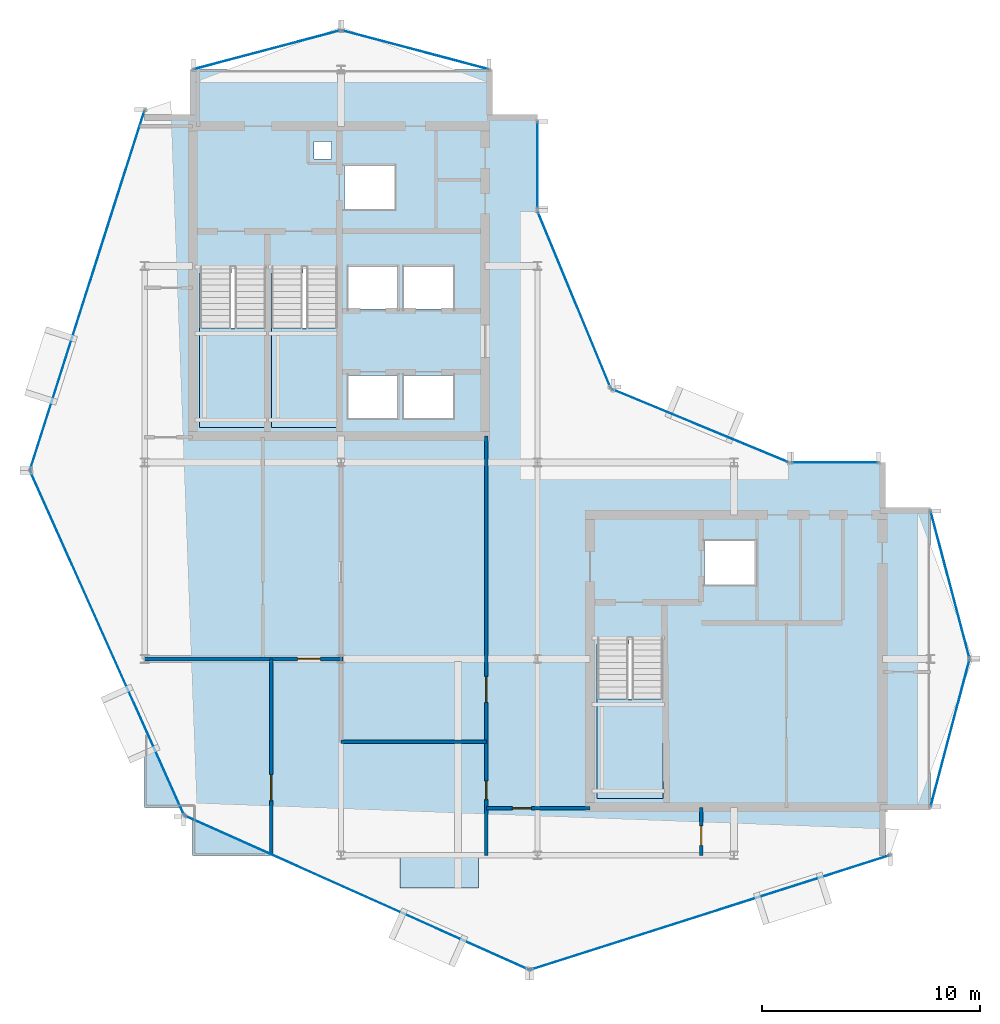
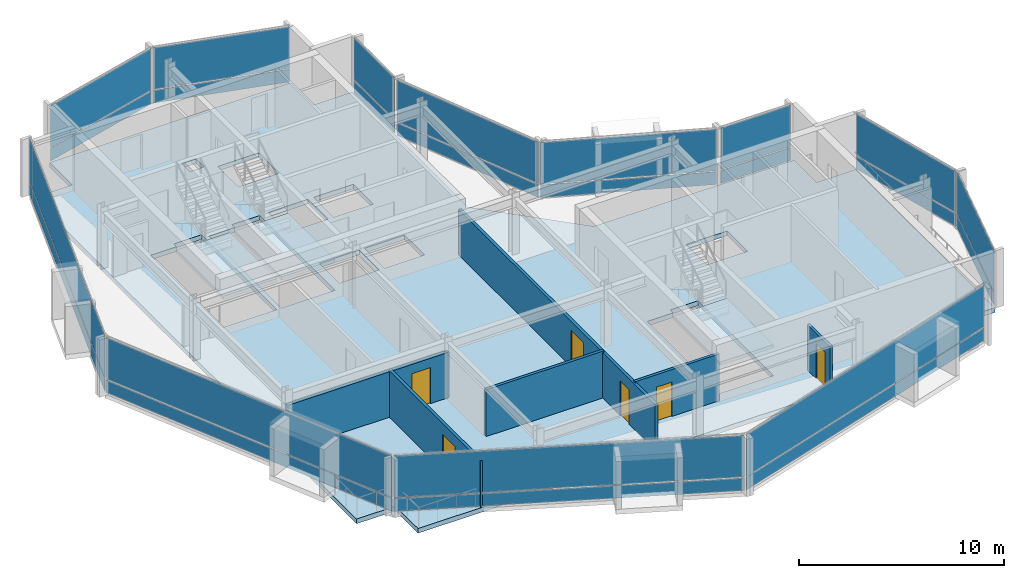
# One storey, part 13 of 19: 24 plates, 6 doors, 6 walls, 5 slabs, 6 openings, 15 elements without a shape of their own.
"""IFC4 building model written with IfcOpenShell, lengths in metres."""

from ifc_helpers import new_model, si_unit, direction, frame, frame_2d, origin, origin_2d, place, context, subcontext, project, spatial, polyline, rectangle, outline, extrude, material, layer, layer_set, type_object, element, fill, aggregate, save


model = new_model("IFC4")

# Units and contexts
model_context = context("Model", 3, precision=1e-05, world=origin(), true_north=direction((0.0, 1.0)))
body_context = subcontext(model_context, "Body", "Model", "MODEL_VIEW")
ifc_project = project(units=[si_unit("LENGTHUNIT", "METRE"), si_unit("AREAUNIT", "SQUARE_METRE"), si_unit("VOLUMEUNIT", "CUBIC_METRE"), si_unit("PLANEANGLEUNIT", "RADIAN"), si_unit("MASSUNIT", "GRAM", prefix="KILO")], contexts=[model_context])

# Site, building, storey
site_placement = place(None, origin())
site = spatial("IfcSite", under=ifc_project, at=site_placement, CompositionType="ELEMENT")
building_placement = place(site_placement, origin())
building = spatial("IfcBuilding", under=site, at=building_placement, Name="Solvaryn Broadcast Tower", CompositionType="ELEMENT")
storey_placement = place(building_placement, frame((0.0, 0.0, 251.89990234375)))
storey = spatial("IfcBuildingStorey", under=building, at=storey_placement, Name="L63", CompositionType="ELEMENT", Elevation=251.89990234375)

# Curtain wall, plates
ifc_material_1 = material(Name="Aluminium and Terracotta Unitised Curtain Wall", Category="masonry")
ifc_layer_1 = layer(ifc_material_1, 0.199951171875)
ifc_layer_set_1 = layer_set([ifc_layer_1], Name="CW-SYS2-LOWMID")
curtain_wall_type = type_object("IfcCurtainWallType", Name="CW-SYS2-LOWMID", PredefinedType="NOTDEFINED", material=ifc_layer_set_1)
curtain_wall_1_placement = place(storey_placement, origin())
curtain_wall_1 = element("IfcCurtainWall", 1, at=curtain_wall_1_placement, inside=storey, type_object=curtain_wall_type, Name="L63 Curtain Wall DR1", PredefinedType="NOTDEFINED")
ifc_material_2 = material(Name="Low-Iron Insulated Vision Glass", Category="glass")
ifc_layer_2 = layer(ifc_material_2, 0.035888671875)
ifc_layer_set_2 = layer_set([ifc_layer_2], Name="CW-PNL-VISION")
plate_type = type_object("IfcPlateType", Name="CW-PNL-VISION", PredefinedType="CURTAIN_PANEL", material=ifc_layer_set_2)
plate_1_placement = place(storey_placement, frame((6.368896484375, 34.892578125, 0.06005859375), z_axis=(0.0, 0.0, 1.0), x_axis=(-0.30361564569, -0.952794594701, 0.0)))
plate_1 = element("IfcPlate", 2, at=plate_1_placement, type_object=plate_type, Name="CWS2 panel 1.1", PredefinedType="CURTAIN_PANEL", context=body_context, shape_type="SweptSolid", body=[
    extrude(rectangle(XDim=17.211181640625, YDim=0.028076171875, at=origin_2d()), origin(), (0.0, 0.0, 1.0), 0.760009765625),
])
plate_2_placement = place(storey_placement, frame((6.368896484375, 34.892578125, 0.880126953125), z_axis=(0.0, 0.0, 1.0), x_axis=(-0.30361564569, -0.952794594701, 0.0)))
plate_2 = element("IfcPlate", 3, at=plate_2_placement, type_object=plate_type, Name="CWS2 panel 1.2", PredefinedType="CURTAIN_PANEL", context=body_context, shape_type="SweptSolid", body=[
    extrude(rectangle(XDim=17.211181640625, YDim=0.028076171875, at=origin_2d()), origin(), (0.0, 0.0, 1.0), 2.47998046875),
])
aggregate(curtain_wall_1, [plate_1, plate_2])

curtain_wall_2_placement = place(storey_placement, origin())
curtain_wall_2 = element("IfcCurtainWall", 4, at=curtain_wall_2_placement, inside=storey, type_object=curtain_wall_type, Name="L63 Curtain Wall DR2", PredefinedType="NOTDEFINED")
plate_3_placement = place(storey_placement, frame((7.277587890625, 18.7265625, 0.06005859375), z_axis=(0.0, 0.0, 1.0), x_axis=(0.408466010682, -0.912773530574, 0.0)))
plate_3 = element("IfcPlate", 5, at=plate_3_placement, type_object=plate_type, Name="CWS2 panel 1.1", PredefinedType="CURTAIN_PANEL", context=body_context, shape_type="SweptSolid", body=[
    extrude(rectangle(XDim=17.210693359375, YDim=0.028076171875, at=origin_2d()), origin(), (0.0, 0.0, 1.0), 0.760009765625),
])
plate_4_placement = place(storey_placement, frame((7.277587890625, 18.7265625, 0.880126953125), z_axis=(0.0, 0.0, 1.0), x_axis=(0.408466010682, -0.912773530574, 0.0)))
plate_4 = element("IfcPlate", 6, at=plate_4_placement, type_object=plate_type, Name="CWS2 panel 1.2", PredefinedType="CURTAIN_PANEL", context=body_context, shape_type="SweptSolid", body=[
    extrude(rectangle(XDim=17.210693359375, YDim=0.028076171875, at=origin_2d()), origin(), (0.0, 0.0, 1.0), 2.47998046875),
])
aggregate(curtain_wall_2, [plate_3, plate_4])

curtain_wall_3_placement = place(storey_placement, origin())
curtain_wall_3 = element("IfcCurtainWall", 7, at=curtain_wall_3_placement, inside=storey, type_object=curtain_wall_type, Name="L63 Curtain Wall DR3", PredefinedType="NOTDEFINED")
plate_5_placement = place(storey_placement, frame((18.7265625, 7.277587890625, 0.06005859375), z_axis=(0.0, 0.0, 1.0), x_axis=(0.912773530574, -0.408466010682, 0.0)))
plate_5 = element("IfcPlate", 8, at=plate_5_placement, type_object=plate_type, Name="CWS2 panel 1.1", PredefinedType="CURTAIN_PANEL", context=body_context, shape_type="SweptSolid", body=[
    extrude(rectangle(XDim=17.210693359375, YDim=0.028076171875, at=origin_2d()), origin(), (0.0, 0.0, 1.0), 0.760009765625),
])
plate_6_placement = place(storey_placement, frame((18.7265625, 7.277587890625, 0.880126953125), z_axis=(0.0, 0.0, 1.0), x_axis=(0.912773530574, -0.408466010682, 0.0)))
plate_6 = element("IfcPlate", 9, at=plate_6_placement, type_object=plate_type, Name="CWS2 panel 1.2", PredefinedType="CURTAIN_PANEL", context=body_context, shape_type="SweptSolid", body=[
    extrude(rectangle(XDim=17.210693359375, YDim=0.028076171875, at=origin_2d()), origin(), (0.0, 0.0, 1.0), 2.47998046875),
])
aggregate(curtain_wall_3, [plate_5, plate_6])

curtain_wall_4_placement = place(storey_placement, origin())
curtain_wall_4 = element("IfcCurtainWall", 10, at=curtain_wall_4_placement, inside=storey, type_object=curtain_wall_type, Name="L63 Curtain Wall DR4", PredefinedType="NOTDEFINED")
plate_7_placement = place(storey_placement, frame((34.892578125, 6.368896484375, 0.06005859375), z_axis=(0.0, 0.0, 1.0), x_axis=(0.952794594701, 0.30361564569, 0.0)))
plate_7 = element("IfcPlate", 11, at=plate_7_placement, type_object=plate_type, Name="CWS2 panel 1.1", PredefinedType="CURTAIN_PANEL", context=body_context, shape_type="SweptSolid", body=[
    extrude(rectangle(XDim=17.211181640625, YDim=0.028076171875, at=origin_2d()), origin(), (0.0, 0.0, 1.0), 0.760009765625),
])
plate_8_placement = place(storey_placement, frame((34.892578125, 6.368896484375, 0.880126953125), z_axis=(0.0, 0.0, 1.0), x_axis=(0.952794594701, 0.30361564569, 0.0)))
plate_8 = element("IfcPlate", 12, at=plate_8_placement, type_object=plate_type, Name="CWS2 panel 1.2", PredefinedType="CURTAIN_PANEL", context=body_context, shape_type="SweptSolid", body=[
    extrude(rectangle(XDim=17.211181640625, YDim=0.028076171875, at=origin_2d()), origin(), (0.0, 0.0, 1.0), 2.47998046875),
])
aggregate(curtain_wall_4, [plate_7, plate_8])

curtain_wall_5_placement = place(storey_placement, origin())
curtain_wall_5 = element("IfcCurtainWall", 13, at=curtain_wall_5_placement, inside=storey, type_object=curtain_wall_type, Name="L63 Curtain Wall IV", PredefinedType="NOTDEFINED")
plate_9_placement = place(storey_placement, frame((27.0, 40.625, 0.06005859375), z_axis=(0.0, 0.0, 1.0), x_axis=(0.0, -1.0, 0.0)))
plate_9 = element("IfcPlate", 14, at=plate_9_placement, type_object=plate_type, Name="CWS2 panel 1.1", PredefinedType="CURTAIN_PANEL", context=body_context, shape_type="SweptSolid", body=[
    extrude(rectangle(XDim=3.929931640625, YDim=0.028076171875, at=origin_2d()), origin(), (0.0, 0.0, 1.0), 0.760009765625),
])
plate_10_placement = place(storey_placement, frame((27.0, 40.625, 0.880126953125), z_axis=(0.0, 0.0, 1.0), x_axis=(0.0, -1.0, 0.0)))
plate_10 = element("IfcPlate", 15, at=plate_10_placement, type_object=plate_type, Name="CWS2 panel 1.2", PredefinedType="CURTAIN_PANEL", context=body_context, shape_type="SweptSolid", body=[
    extrude(rectangle(XDim=3.929931640625, YDim=0.028076171875, at=origin_2d()), origin(), (0.0, 0.0, 1.0), 2.47998046875),
])
aggregate(curtain_wall_5, [plate_9, plate_10])

curtain_wall_6_placement = place(storey_placement, origin())
curtain_wall_6 = element("IfcCurtainWall", 16, at=curtain_wall_6_placement, inside=storey, type_object=curtain_wall_type, Name="L63 Curtain Wall CN1", PredefinedType="NOTDEFINED")
plate_11_placement = place(storey_placement, frame((34.43408203125, 28.68408203125, 0.06005859375), z_axis=(0.0, 0.0, 1.0), x_axis=(-0.923894983957, 0.382646127145, 0.0)))
plate_11 = element("IfcPlate", 17, at=plate_11_placement, type_object=plate_type, Name="CWS2 panel 1.1", PredefinedType="CURTAIN_PANEL", context=body_context, shape_type="SweptSolid", body=[
    extrude(rectangle(XDim=8.681884765625, YDim=0.028076171875, at=origin_2d()), origin(), (0.0, 0.0, 1.0), 0.760009765625),
])
plate_12_placement = place(storey_placement, frame((34.43408203125, 28.68408203125, 0.880126953125), z_axis=(0.0, 0.0, 1.0), x_axis=(-0.923894983957, 0.382646127145, 0.0)))
plate_12 = element("IfcPlate", 18, at=plate_12_placement, type_object=plate_type, Name="CWS2 panel 1.2", PredefinedType="CURTAIN_PANEL", context=body_context, shape_type="SweptSolid", body=[
    extrude(rectangle(XDim=8.681884765625, YDim=0.028076171875, at=origin_2d()), origin(), (0.0, 0.0, 1.0), 2.47998046875),
])
aggregate(curtain_wall_6, [plate_11, plate_12])

curtain_wall_7_placement = place(storey_placement, origin())
curtain_wall_7 = element("IfcCurtainWall", 19, at=curtain_wall_7_placement, inside=storey, type_object=curtain_wall_type, Name="L63 Curtain Wall CN2", PredefinedType="NOTDEFINED")
plate_13_placement = place(storey_placement, frame((28.68408203125, 34.43408203125, 0.06005859375), z_axis=(0.0, 0.0, 1.0), x_axis=(-0.382646127145, 0.923894983957, 0.0)))
plate_13 = element("IfcPlate", 20, at=plate_13_placement, type_object=plate_type, Name="CWS2 panel 1.1", PredefinedType="CURTAIN_PANEL", context=body_context, shape_type="SweptSolid", body=[
    extrude(rectangle(XDim=8.681884765625, YDim=0.028076171875, at=origin_2d()), origin(), (0.0, 0.0, 1.0), 0.760009765625),
])
plate_14_placement = place(storey_placement, frame((28.68408203125, 34.43408203125, 0.880126953125), z_axis=(0.0, 0.0, 1.0), x_axis=(-0.382646127145, 0.923894983957, 0.0)))
plate_14 = element("IfcPlate", 21, at=plate_14_placement, type_object=plate_type, Name="CWS2 panel 1.2", PredefinedType="CURTAIN_PANEL", context=body_context, shape_type="SweptSolid", body=[
    extrude(rectangle(XDim=8.681884765625, YDim=0.028076171875, at=origin_2d()), origin(), (0.0, 0.0, 1.0), 2.47998046875),
])
aggregate(curtain_wall_7, [plate_13, plate_14])

curtain_wall_8_placement = place(storey_placement, origin())
curtain_wall_8 = element("IfcCurtainWall", 22, at=curtain_wall_8_placement, inside=storey, type_object=curtain_wall_type, Name="L63 Curtain Wall NT1", PredefinedType="NOTDEFINED")
plate_15_placement = place(storey_placement, frame((21.39990234375, 45.89990234375, 0.06005859375), z_axis=(0.0, 0.0, 1.0), x_axis=(-0.966705227863, 0.25589256031, 0.0)))
plate_15 = element("IfcPlate", 23, at=plate_15_placement, type_object=plate_type, Name="CWS2 panel 1.1", PredefinedType="CURTAIN_PANEL", context=body_context, shape_type="SweptSolid", body=[
    extrude(rectangle(XDim=6.914306640625, YDim=0.028076171875, at=origin_2d()), origin(), (0.0, 0.0, 1.0), 0.760009765625),
])
plate_16_placement = place(storey_placement, frame((21.39990234375, 45.89990234375, 0.880126953125), z_axis=(0.0, 0.0, 1.0), x_axis=(-0.966705227863, 0.25589256031, 0.0)))
plate_16 = element("IfcPlate", 24, at=plate_16_placement, type_object=plate_type, Name="CWS2 panel 1.2", PredefinedType="CURTAIN_PANEL", context=body_context, shape_type="SweptSolid", body=[
    extrude(rectangle(XDim=6.914306640625, YDim=0.028076171875, at=origin_2d()), origin(), (0.0, 0.0, 1.0), 2.47998046875),
])
aggregate(curtain_wall_8, [plate_15, plate_16])

curtain_wall_9_placement = place(storey_placement, origin())
curtain_wall_9 = element("IfcCurtainWall", 25, at=curtain_wall_9_placement, inside=storey, type_object=curtain_wall_type, Name="L63 Curtain Wall NT2", PredefinedType="NOTDEFINED")
plate_17_placement = place(storey_placement, frame((14.60009765625, 45.89990234375, 0.06005859375), z_axis=(0.0, 0.0, 1.0), x_axis=(-0.966705227863, -0.25589256031, 0.0)))
plate_17 = element("IfcPlate", 26, at=plate_17_placement, type_object=plate_type, Name="CWS2 panel 1.1", PredefinedType="CURTAIN_PANEL", context=body_context, shape_type="SweptSolid", body=[
    extrude(rectangle(XDim=6.914306640625, YDim=0.028076171875, at=origin_2d()), origin(), (0.0, 0.0, 1.0), 0.760009765625),
])
plate_18_placement = place(storey_placement, frame((14.60009765625, 45.89990234375, 0.880126953125), z_axis=(0.0, 0.0, 1.0), x_axis=(-0.966705227863, -0.25589256031, 0.0)))
plate_18 = element("IfcPlate", 27, at=plate_18_placement, type_object=plate_type, Name="CWS2 panel 1.2", PredefinedType="CURTAIN_PANEL", context=body_context, shape_type="SweptSolid", body=[
    extrude(rectangle(XDim=6.914306640625, YDim=0.028076171875, at=origin_2d()), origin(), (0.0, 0.0, 1.0), 2.47998046875),
])
aggregate(curtain_wall_9, [plate_17, plate_18])

curtain_wall_10_placement = place(storey_placement, origin())
curtain_wall_10 = element("IfcCurtainWall", 28, at=curtain_wall_10_placement, inside=storey, type_object=curtain_wall_type, Name="L63 Curtain Wall ET1", PredefinedType="NOTDEFINED")
plate_19_placement = place(storey_placement, frame((45.89990234375, 21.39990234375, 0.06005859375), z_axis=(0.0, 0.0, 1.0), x_axis=(0.25589256031, -0.966705227863, 0.0)))
plate_19 = element("IfcPlate", 29, at=plate_19_placement, type_object=plate_type, Name="CWS2 panel 1.1", PredefinedType="CURTAIN_PANEL", context=body_context, shape_type="SweptSolid", body=[
    extrude(rectangle(XDim=6.914306640625, YDim=0.028076171875, at=origin_2d()), origin(), (0.0, 0.0, 1.0), 0.760009765625),
])
plate_20_placement = place(storey_placement, frame((45.89990234375, 21.39990234375, 0.880126953125), z_axis=(0.0, 0.0, 1.0), x_axis=(0.25589256031, -0.966705227863, 0.0)))
plate_20 = element("IfcPlate", 30, at=plate_20_placement, type_object=plate_type, Name="CWS2 panel 1.2", PredefinedType="CURTAIN_PANEL", context=body_context, shape_type="SweptSolid", body=[
    extrude(rectangle(XDim=6.914306640625, YDim=0.028076171875, at=origin_2d()), origin(), (0.0, 0.0, 1.0), 2.47998046875),
])
aggregate(curtain_wall_10, [plate_19, plate_20])

curtain_wall_11_placement = place(storey_placement, origin())
curtain_wall_11 = element("IfcCurtainWall", 31, at=curtain_wall_11_placement, inside=storey, type_object=curtain_wall_type, Name="L63 Curtain Wall ET2", PredefinedType="NOTDEFINED")
plate_21_placement = place(storey_placement, frame((45.89990234375, 14.60009765625, 0.06005859375), z_axis=(0.0, 0.0, 1.0), x_axis=(-0.25589256031, -0.966705227863, 0.0)))
plate_21 = element("IfcPlate", 32, at=plate_21_placement, type_object=plate_type, Name="CWS2 panel 1.1", PredefinedType="CURTAIN_PANEL", context=body_context, shape_type="SweptSolid", body=[
    extrude(rectangle(XDim=6.914306640625, YDim=0.028076171875, at=origin_2d()), origin(), (0.0, 0.0, 1.0), 0.760009765625),
])
plate_22_placement = place(storey_placement, frame((45.89990234375, 14.60009765625, 0.880126953125), z_axis=(0.0, 0.0, 1.0), x_axis=(-0.25589256031, -0.966705227863, 0.0)))
plate_22 = element("IfcPlate", 33, at=plate_22_placement, type_object=plate_type, Name="CWS2 panel 1.2", PredefinedType="CURTAIN_PANEL", context=body_context, shape_type="SweptSolid", body=[
    extrude(rectangle(XDim=6.914306640625, YDim=0.028076171875, at=origin_2d()), origin(), (0.0, 0.0, 1.0), 2.47998046875),
])
aggregate(curtain_wall_11, [plate_21, plate_22])

curtain_wall_12_placement = place(storey_placement, origin())
curtain_wall_12 = element("IfcCurtainWall", 34, at=curtain_wall_12_placement, inside=storey, type_object=curtain_wall_type, Name="L63 Curtain Wall IH", PredefinedType="NOTDEFINED")
plate_23_placement = place(storey_placement, frame((40.625, 27.0, 0.06005859375), z_axis=(0.0, 0.0, 1.0), x_axis=(1.0, 0.0, 0.0)))
plate_23 = element("IfcPlate", 35, at=plate_23_placement, type_object=plate_type, Name="CWS2 panel 1.1", PredefinedType="CURTAIN_PANEL", context=body_context, shape_type="SweptSolid", body=[
    extrude(rectangle(XDim=3.929931640625, YDim=0.028076171875, at=origin_2d()), origin(), (0.0, 0.0, 1.0), 0.760009765625),
])
plate_24_placement = place(storey_placement, frame((40.625, 27.0, 0.880126953125), z_axis=(0.0, 0.0, 1.0), x_axis=(1.0, 0.0, 0.0)))
plate_24 = element("IfcPlate", 36, at=plate_24_placement, type_object=plate_type, Name="CWS2 panel 1.2", PredefinedType="CURTAIN_PANEL", context=body_context, shape_type="SweptSolid", body=[
    extrude(rectangle(XDim=3.929931640625, YDim=0.028076171875, at=origin_2d()), origin(), (0.0, 0.0, 1.0), 2.47998046875),
])
aggregate(curtain_wall_12, [plate_23, plate_24])

# Slab
ifc_material_3 = material(Name="Concrete f'c 60 MPa", Category="concrete")
ifc_layer_3 = layer(ifc_material_3, 0.2099609375)
ifc_layer_set_3 = layer_set([ifc_layer_3], Name="SL-BAYBOX-210")
slab_type_1 = type_object("IfcSlabType", Name="SL-BAYBOX-210", PredefinedType="FLOOR", material=ifc_layer_set_3)
slab_1_placement = place(storey_placement, frame((0.0, 0.0, -0.2099609375)))
element("IfcSlab", 37, at=slab_1_placement, inside=storey, type_object=slab_type_1, Name="L63 Projecting Bay-Box Slab 1", PredefinedType="FLOOR", context=body_context, shape_type="SweptSolid", body=[
    extrude(outline(polyline([(20.699951171875, 7.5), (24.300048828125, 7.5), (24.300048828125, 9.0), (20.699951171875, 9.0), (20.699951171875, 7.5)])), origin(), (0.0, 0.0, 1.0), 0.2099609375),
])

# Stair, slab
ifc_material_4 = material(Name="Concrete f'c 60 MPa", Category="concrete")
stair_type = type_object("IfcStairType", Name="ST-CORE", PredefinedType="HALF_TURN_STAIR", material=ifc_material_4)
stair_1_placement = place(storey_placement, origin())
stair_1 = element("IfcStair", 38, at=stair_1_placement, inside=storey, type_object=stair_type, Name="L63 ST1", PredefinedType="HALF_TURN_STAIR")
ifc_material_5 = material(Name="Concrete f'c 60 MPa", Category="concrete")
ifc_layer_4 = layer(ifc_material_5, 0.199951171875)
ifc_layer_set_4 = layer_set([ifc_layer_4], Name="SL-LANDING-200")
slab_type_2 = type_object("IfcSlabType", Name="SL-LANDING-200", PredefinedType="LANDING", material=ifc_layer_set_4)
slab_2_placement = place(storey_placement, frame((0.0, 0.0, 1.650146484375)))
slab_2 = element("IfcSlab", 39, at=slab_2_placement, type_object=slab_type_2, Name="ST1 landing 1", PredefinedType="LANDING", context=body_context, shape_type="SweptSolid", body=[
    extrude(outline(polyline([(11.52001953125, 33.159912109375), (11.52001953125, 28.60009765625), (14.550048828125, 28.60009765625), (14.550048828125, 33.159912109375), (11.52001953125, 33.159912109375)])), origin(), (0.0, 0.0, 1.0), 0.199951171875),
])
aggregate(stair_1, [slab_2])

stair_2_placement = place(storey_placement, origin())
stair_2 = element("IfcStair", 40, at=stair_2_placement, inside=storey, type_object=stair_type, Name="L63 ST2", PredefinedType="HALF_TURN_STAIR")
slab_3_placement = place(storey_placement, frame((0.0, 0.0, 1.650146484375)))
slab_3 = element("IfcSlab", 41, at=slab_3_placement, type_object=slab_type_2, Name="ST2 landing 1", PredefinedType="LANDING", context=body_context, shape_type="SweptSolid", body=[
    extrude(outline(polyline([(14.800048828125, 33.159912109375), (14.800048828125, 28.60009765625), (17.830078125, 28.60009765625), (17.830078125, 33.159912109375), (14.800048828125, 33.159912109375)])), origin(), (0.0, 0.0, 1.0), 0.199951171875),
])
aggregate(stair_2, [slab_3])

stair_3_placement = place(storey_placement, origin())
stair_3 = element("IfcStair", 42, at=stair_3_placement, inside=storey, type_object=stair_type, Name="L63 ST3", PredefinedType="HALF_TURN_STAIR")
slab_4_placement = place(storey_placement, frame((0.0, 0.0, 1.650146484375)))
slab_4 = element("IfcSlab", 43, at=slab_4_placement, type_object=slab_type_2, Name="ST3 landing 1", PredefinedType="LANDING", context=body_context, shape_type="SweptSolid", body=[
    extrude(outline(polyline([(29.719970703125, 16.159912109375), (29.719970703125, 11.60009765625), (32.75, 11.60009765625), (32.75, 16.159912109375), (29.719970703125, 16.159912109375)])), origin(), (0.0, 0.0, 1.0), 0.199951171875),
])
aggregate(stair_3, [slab_4])

# Slab
ifc_material_6 = material(Name="Concrete f'c 60 MPa", Category="concrete")
ifc_layer_5 = layer(ifc_material_6, 0.280029296875)
ifc_layer_set_5 = layer_set([ifc_layer_5], Name="SL-TWR-280")
slab_type_3 = type_object("IfcSlabType", Name="SL-TWR-280", PredefinedType="FLOOR", material=ifc_layer_set_5)
slab_5_placement = place(storey_placement, frame((0.0, 0.0, -0.27978515625)))
element("IfcSlab", 44, at=slab_5_placement, inside=storey, type_object=slab_type_3, Name="L63 Structural Floor Slab", PredefinedType="FLOOR", context=body_context, shape_type="SweptSolid", body=[
    extrude(outline(polyline([(11.199951171875, 9.0), (42.800048828125, 9.0), (42.800048828125, 11.199951171875), (45.0, 11.199951171875), (45.0, 24.800048828125), (42.800048828125, 24.800048828125), (42.800048828125, 27.0), (31.5, 27.0), (27.0, 31.5), (27.0, 42.800048828125), (24.800048828125, 42.800048828125), (24.800048828125, 45.0), (11.199951171875, 45.0), (11.199951171875, 42.800048828125), (9.0, 42.800048828125), (9.0, 11.199951171875), (11.199951171875, 11.199951171875), (11.199951171875, 9.0)]), holes=[polyline([(11.52001953125, 28.60009765625), (14.550048828125, 28.60009765625), (14.550048828125, 35.9599609375), (12.97998046875, 35.9599609375), (12.97998046875, 35.679931640625), (11.52001953125, 35.679931640625), (11.52001953125, 28.60009765625)]), polyline([(14.800048828125, 28.60009765625), (17.830078125, 28.60009765625), (17.830078125, 35.9599609375), (16.260009765625, 35.9599609375), (16.260009765625, 35.679931640625), (14.800048828125, 35.679931640625), (14.800048828125, 28.60009765625)]), polyline([(29.719970703125, 11.60009765625), (32.75, 11.60009765625), (32.75, 18.9599609375), (31.179931640625, 18.9599609375), (31.179931640625, 18.679931640625), (29.719970703125, 18.679931640625), (29.719970703125, 11.60009765625)]), polyline([(18.14990234375, 38.60009765625), (20.449951171875, 38.60009765625), (20.449951171875, 40.60009765625), (18.14990234375, 40.60009765625), (18.14990234375, 38.60009765625)]), polyline([(18.324951171875, 29.02490234375), (20.574951171875, 29.02490234375), (20.574951171875, 30.97509765625), (18.324951171875, 30.97509765625), (18.324951171875, 29.02490234375)]), polyline([(20.875, 29.02490234375), (23.125, 29.02490234375), (23.125, 30.97509765625), (20.875, 30.97509765625), (20.875, 29.02490234375)]), polyline([(18.324951171875, 34.02490234375), (20.574951171875, 34.02490234375), (20.574951171875, 35.97509765625), (18.324951171875, 35.97509765625), (18.324951171875, 34.02490234375)]), polyline([(20.875, 34.02490234375), (23.125, 34.02490234375), (23.125, 35.97509765625), (20.875, 35.97509765625), (20.875, 34.02490234375)]), polyline([(34.64990234375, 21.39990234375), (36.949951171875, 21.39990234375), (36.949951171875, 23.39990234375), (34.64990234375, 23.39990234375), (34.64990234375, 21.39990234375)]), polyline([(16.75, 40.89990234375), (17.550048828125, 40.89990234375), (17.550048828125, 41.699951171875), (16.75, 41.699951171875), (16.75, 40.89990234375)])]), origin(), (0.0, 0.0, 1.0), 0.27978515625),
])

# Wall, opening, door
ifc_material_7 = material(Name="Metal-Stud Service Core Partition")
ifc_layer_6 = layer(ifc_material_7, 0.14990234375)
ifc_layer_set_6 = layer_set([ifc_layer_6], Name="IW-PART-150")
wall_type_1 = type_object("IfcWallType", Name="IW-PART-150", PredefinedType="PARTITIONING", material=ifc_layer_set_6)
wall_1_placement = place(storey_placement, frame((34.5, 9.0, 0.0), z_axis=(0.0, 0.0, 1.0), x_axis=(0.0, 1.0, 0.0)))
wall_1 = element("IfcWall", 45, at=wall_1_placement, inside=storey, type_object=wall_type_1, Name="L63 Interior Partition IW-L63-SC-V", PredefinedType="PARTITIONING", context=body_context, shape_type="SweptSolid", body=[
    extrude(rectangle(XDim=2.199951171875, YDim=0.14990234375, at=frame_2d((1.10009765625, 0.0))), origin(), (0.0, 0.0, 1.0), 2.70703125),
])
opening_1_placement = place(wall_1_placement, frame((0.449951171875, 0.0, 0.0)))
opening_1 = element("IfcOpeningElement", 46, at=opening_1_placement, cuts=wall_1, Name="Opening FD60C", PredefinedType="OPENING", context=body_context, shape_type="SweptSolid", body=[
    extrude(rectangle(XDim=0.89990234375, YDim=2.10009765625, at=frame_2d((0.449951171875, 1.050048828125))), frame((0.0, 0.0849609375, 0.0), z_axis=(0.0, -1.0, 0.0), x_axis=(1.0, 0.0, 0.0)), (0.0, 0.0, 1.0), 0.169921875),
])
ifc_material_8 = material(Name="Flush Acoustic Steel and Timber Door Assembly", Category="steel")
door_type_1 = type_object("IfcDoorType", Name="FD60-SERV-900X2100", OperationType="NOTDEFINED", PredefinedType="DOOR", material=ifc_material_8)
door_1_placement = place(opening_1_placement, origin())
door_1 = element("IfcDoor", 47, at=door_1_placement, inside=storey, type_object=door_type_1, Name="L63 Door DR-L63-SC1", OperationType="SINGLE_SWING_LEFT", OverallHeight=2.10009765625, OverallWidth=0.89990234375, PredefinedType="DOOR", context=body_context, shape_type="SweptSolid", body=[
    extrude(rectangle(XDim=0.89990234375, YDim=2.10009765625, at=frame_2d((0.449951171875, 1.050048828125))), frame((0.0, 0.02490234375, 0.0), z_axis=(0.0, -1.0, 0.0), x_axis=(1.0, 0.0, 0.0)), (0.0, 0.0, 1.0), 0.050048828125),
])
fill(opening_1, door_1)

# Wall, openings, doors
ifc_material_9 = material(Name="Metal-Stud Gypsum Office Partition")
ifc_layer_7 = layer(ifc_material_9, 0.159912109375)
ifc_layer_set_7 = layer_set([ifc_layer_7], Name="IW-PART-160")
wall_type_2 = type_object("IfcWallType", Name="IW-PART-160", PredefinedType="PARTITIONING", material=ifc_layer_set_7)
wall_2_placement = place(storey_placement, frame((24.64990234375, 9.0, 0.0), z_axis=(0.0, 0.0, 1.0), x_axis=(0.0, 1.0, 0.0)))
wall_2 = element("IfcWall", 48, at=wall_2_placement, inside=storey, type_object=wall_type_2, Name="L63 Interior Partition IW-L63-SW-EB", PredefinedType="PARTITIONING", context=body_context, shape_type="SweptSolid", body=[
    extrude(rectangle(XDim=19.199951171875, YDim=0.159912109375, at=frame_2d((9.60009765625, 0.0))), origin(), (0.0, 0.0, 1.0), 2.70703125),
])
opening_2_placement = place(wall_2_placement, frame((7.0, 0.0, 0.0)))
opening_2 = element("IfcOpeningElement", 49, at=opening_2_placement, cuts=wall_2, Name="Opening ID04", PredefinedType="OPENING", context=body_context, shape_type="SweptSolid", body=[
    extrude(rectangle(XDim=1.199951171875, YDim=2.14990234375, at=frame_2d((0.60009765625, 1.074951171875))), frame((0.0, 0.090087890625, 0.0), z_axis=(0.0, -1.0, 0.0), x_axis=(1.0, 0.0, 0.0)), (0.0, 0.0, 1.0), 0.179931640625),
])
opening_3_placement = place(wall_2_placement, frame((2.550048828125, 0.0, 0.0)))
opening_3 = element("IfcOpeningElement", 50, at=opening_3_placement, cuts=wall_2, Name="Opening ID07", PredefinedType="OPENING", context=body_context, shape_type="SweptSolid", body=[
    extrude(rectangle(XDim=0.860107421875, YDim=2.050048828125, at=frame_2d((0.43017578125, 1.02490234375))), frame((0.0, 0.090087890625, 0.0), z_axis=(0.0, -1.0, 0.0), x_axis=(1.0, 0.0, 0.0)), (0.0, 0.0, 1.0), 0.179931640625),
])
ifc_material_10 = material(Name="Flush Acoustic Steel and Timber Door Assembly", Category="steel")
door_type_2 = type_object("IfcDoorType", Name="ID-04-1200X2150", OperationType="NOTDEFINED", PredefinedType="DOOR", material=ifc_material_10)
door_2_placement = place(opening_2_placement, origin())
door_2 = element("IfcDoor", 51, at=door_2_placement, inside=storey, type_object=door_type_2, Name="L63 Door DR-L63-SWL-E1", OperationType="SINGLE_SWING_RIGHT", OverallHeight=2.14990234375, OverallWidth=1.199951171875, PredefinedType="DOOR", context=body_context, shape_type="SweptSolid", body=[
    extrude(rectangle(XDim=1.199951171875, YDim=2.14990234375, at=frame_2d((0.60009765625, 1.074951171875))), frame((0.0, 0.02490234375, 0.0), z_axis=(0.0, -1.0, 0.0), x_axis=(1.0, 0.0, 0.0)), (0.0, 0.0, 1.0), 0.050048828125),
])
fill(opening_2, door_2)
ifc_material_11 = material(Name="Flush Acoustic Steel and Timber Door Assembly", Category="steel")
door_type_3 = type_object("IfcDoorType", Name="ID-07-860X2050", OperationType="NOTDEFINED", PredefinedType="DOOR", material=ifc_material_11)
door_3_placement = place(opening_3_placement, origin())
door_3 = element("IfcDoor", 52, at=door_3_placement, inside=storey, type_object=door_type_3, Name="L63 Door DR-L63-SWL-E2", OperationType="SINGLE_SWING_LEFT", OverallHeight=2.050048828125, OverallWidth=0.860107421875, PredefinedType="DOOR", context=body_context, shape_type="SweptSolid", body=[
    extrude(rectangle(XDim=0.860107421875, YDim=2.050048828125, at=frame_2d((0.43017578125, 1.02490234375))), frame((0.0, 0.02490234375, 0.0), z_axis=(0.0, -1.0, 0.0), x_axis=(1.0, 0.0, 0.0)), (0.0, 0.0, 1.0), 0.050048828125),
])
fill(opening_3, door_3)

# Wall
wall_3_placement = place(storey_placement, frame((18.0, 14.199951171875, 0.0), z_axis=(0.0, 0.0, 1.0), x_axis=(1.0, 0.0, 0.0)))
element("IfcWall", 53, at=wall_3_placement, inside=storey, type_object=wall_type_2, Name="L63 Interior Partition IW-L63-SW-RH", PredefinedType="PARTITIONING", context=body_context, shape_type="SweptSolid", body=[
    extrude(rectangle(XDim=6.64990234375, YDim=0.159912109375, at=frame_2d((3.324951171875, 0.0))), origin(), (0.0, 0.0, 1.0), 2.7890625),
])

# Wall, opening, door
wall_4_placement = place(storey_placement, frame((14.800048828125, 9.0, 0.0), z_axis=(0.0, 0.0, 1.0), x_axis=(0.0, 1.0, 0.0)))
wall_4 = element("IfcWall", 54, at=wall_4_placement, inside=storey, type_object=wall_type_2, Name="L63 Interior Partition IW-L63-SW-SWV", PredefinedType="PARTITIONING", context=body_context, shape_type="SweptSolid", body=[
    extrude(rectangle(XDim=9.0, YDim=0.159912109375, at=frame_2d((4.5, 0.0))), origin(), (0.0, 0.0, 1.0), 2.7890625),
])
opening_4_placement = place(wall_4_placement, frame((2.5, 0.0, 0.0)))
opening_4 = element("IfcOpeningElement", 55, at=opening_4_placement, cuts=wall_4, Name="Opening ID04", PredefinedType="OPENING", context=body_context, shape_type="SweptSolid", body=[
    extrude(rectangle(XDim=1.199951171875, YDim=2.14990234375, at=frame_2d((0.60009765625, 1.074951171875))), frame((0.0, 0.090087890625, 0.0), z_axis=(0.0, -1.0, 0.0), x_axis=(1.0, 0.0, 0.0)), (0.0, 0.0, 1.0), 0.179931640625),
])
door_4_placement = place(opening_4_placement, origin())
door_4 = element("IfcDoor", 56, at=door_4_placement, inside=storey, type_object=door_type_2, Name="L63 Door DR-L63-SWL-SW", OperationType="SINGLE_SWING_LEFT", OverallHeight=2.14990234375, OverallWidth=1.199951171875, PredefinedType="DOOR", context=body_context, shape_type="SweptSolid", body=[
    extrude(rectangle(XDim=1.199951171875, YDim=2.14990234375, at=frame_2d((0.60009765625, 1.074951171875))), frame((0.0, 0.02490234375, 0.0), z_axis=(0.0, -1.0, 0.0), x_axis=(1.0, 0.0, 0.0)), (0.0, 0.0, 1.0), 0.050048828125),
])
fill(opening_4, door_4)

wall_5_placement = place(storey_placement, frame((24.64990234375, 11.14990234375, 0.0), z_axis=(0.0, 0.0, 1.0), x_axis=(1.0, 0.0, 0.0)))
wall_5 = element("IfcWall", 57, at=wall_5_placement, inside=storey, type_object=wall_type_2, Name="L63 Interior Partition IW-L63-SC-N", PredefinedType="PARTITIONING", context=body_context, shape_type="SweptSolid", body=[
    extrude(rectangle(XDim=4.75, YDim=0.159912109375, at=frame_2d((2.375, 0.0))), origin(), (0.0, 0.0, 1.0), 2.7919921875),
])
opening_5_placement = place(wall_5_placement, frame((1.199951171875, 0.0, 0.0)))
opening_5 = element("IfcOpeningElement", 58, at=opening_5_placement, cuts=wall_5, Name="Opening ID07", PredefinedType="OPENING", context=body_context, shape_type="SweptSolid", body=[
    extrude(rectangle(XDim=0.860107421875, YDim=2.050048828125, at=frame_2d((0.43017578125, 1.02490234375))), frame((0.0, 0.090087890625, 0.0), z_axis=(0.0, -1.0, 0.0), x_axis=(1.0, 0.0, 0.0)), (0.0, 0.0, 1.0), 0.179931640625),
])
door_5_placement = place(opening_5_placement, origin())
door_5 = element("IfcDoor", 59, at=door_5_placement, inside=storey, type_object=door_type_3, Name="L63 Door DR-L63-SC0", OperationType="SINGLE_SWING_RIGHT", OverallHeight=2.050048828125, OverallWidth=0.860107421875, PredefinedType="DOOR", context=body_context, shape_type="SweptSolid", body=[
    extrude(rectangle(XDim=0.860107421875, YDim=2.050048828125, at=frame_2d((0.43017578125, 1.02490234375))), frame((0.0, 0.02490234375, 0.0), z_axis=(0.0, -1.0, 0.0), x_axis=(1.0, 0.0, 0.0)), (0.0, 0.0, 1.0), 0.050048828125),
])
fill(opening_5, door_5)

ifc_material_12 = material(Name="Acoustic Metal-Stud Gypsum Partition")
ifc_layer_8 = layer(ifc_material_12, 0.179931640625)
ifc_layer_set_8 = layer_set([ifc_layer_8], Name="IW-PART-180")
wall_type_3 = type_object("IfcWallType", Name="IW-PART-180", PredefinedType="PARTITIONING", material=ifc_layer_set_8)
wall_6_placement = place(storey_placement, frame((9.0, 18.0, 0.0), z_axis=(0.0, 0.0, 1.0), x_axis=(1.0, 0.0, 0.0)))
wall_6 = element("IfcWall", 60, at=wall_6_placement, inside=storey, type_object=wall_type_3, Name="L63 Interior Partition IW-L63-SW-LH", PredefinedType="PARTITIONING", context=body_context, shape_type="SweptSolid", body=[
    extrude(rectangle(XDim=9.080078125, YDim=0.179931640625, at=frame_2d((4.5400390625, 0.0))), origin(), (0.0, 0.0, 1.0), 2.70703125),
])
opening_6_placement = place(wall_6_placement, frame((7.0, 0.0, 0.0)))
opening_6 = element("IfcOpeningElement", 61, at=opening_6_placement, cuts=wall_6, Name="Opening ID03", PredefinedType="OPENING", context=body_context, shape_type="SweptSolid", body=[
    extrude(rectangle(XDim=1.050048828125, YDim=2.14990234375, at=frame_2d((0.52490234375, 1.074951171875))), frame((0.0, 0.099853515625, 0.0), z_axis=(0.0, -1.0, 0.0), x_axis=(1.0, 0.0, 0.0)), (0.0, 0.0, 1.0), 0.199951171875),
])
ifc_material_13 = material(Name="Flush Acoustic Steel and Timber Door Assembly", Category="steel")
door_type_4 = type_object("IfcDoorType", Name="ID-03-1050X2150", OperationType="NOTDEFINED", PredefinedType="DOOR", material=ifc_material_13)
door_6_placement = place(opening_6_placement, origin())
door_6 = element("IfcDoor", 62, at=door_6_placement, inside=storey, type_object=door_type_4, Name="L63 Door DR-L63-SWL-LH", OperationType="SINGLE_SWING_RIGHT", OverallHeight=2.14990234375, OverallWidth=1.050048828125, PredefinedType="DOOR", context=body_context, shape_type="SweptSolid", body=[
    extrude(rectangle(XDim=1.050048828125, YDim=2.14990234375, at=frame_2d((0.52490234375, 1.074951171875))), frame((0.0, 0.02490234375, 0.0), z_axis=(0.0, -1.0, 0.0), x_axis=(1.0, 0.0, 0.0)), (0.0, 0.0, 1.0), 0.050048828125),
])
fill(opening_6, door_6)

save(model, "model.ifc")
